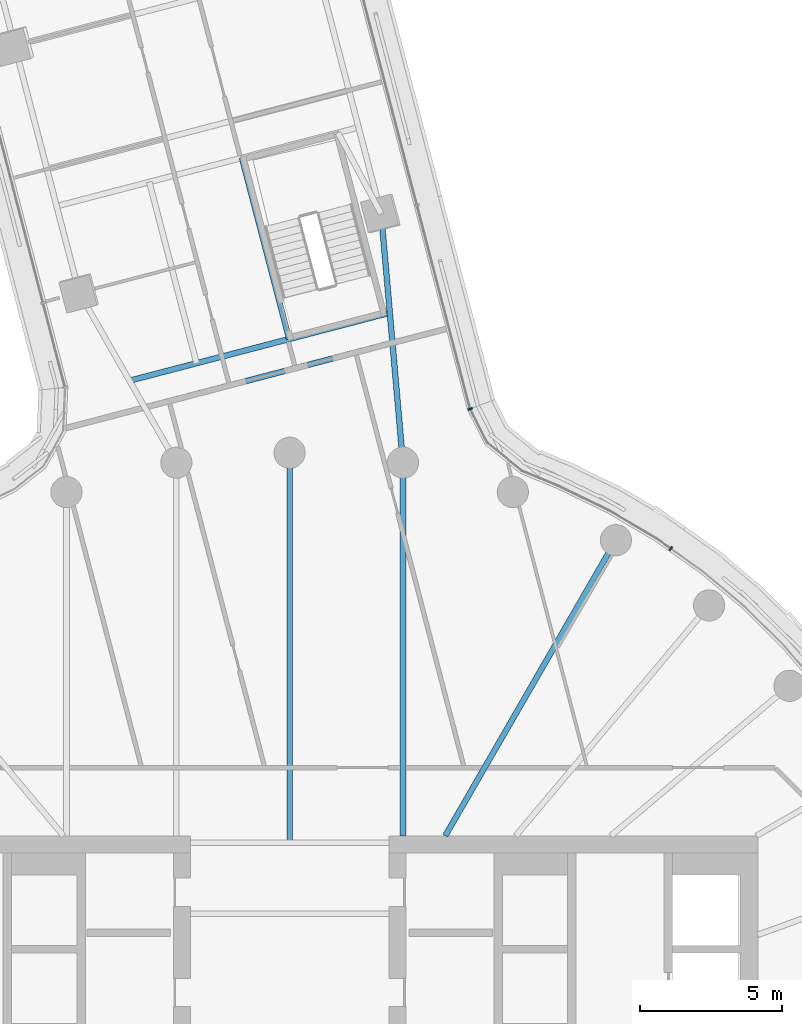
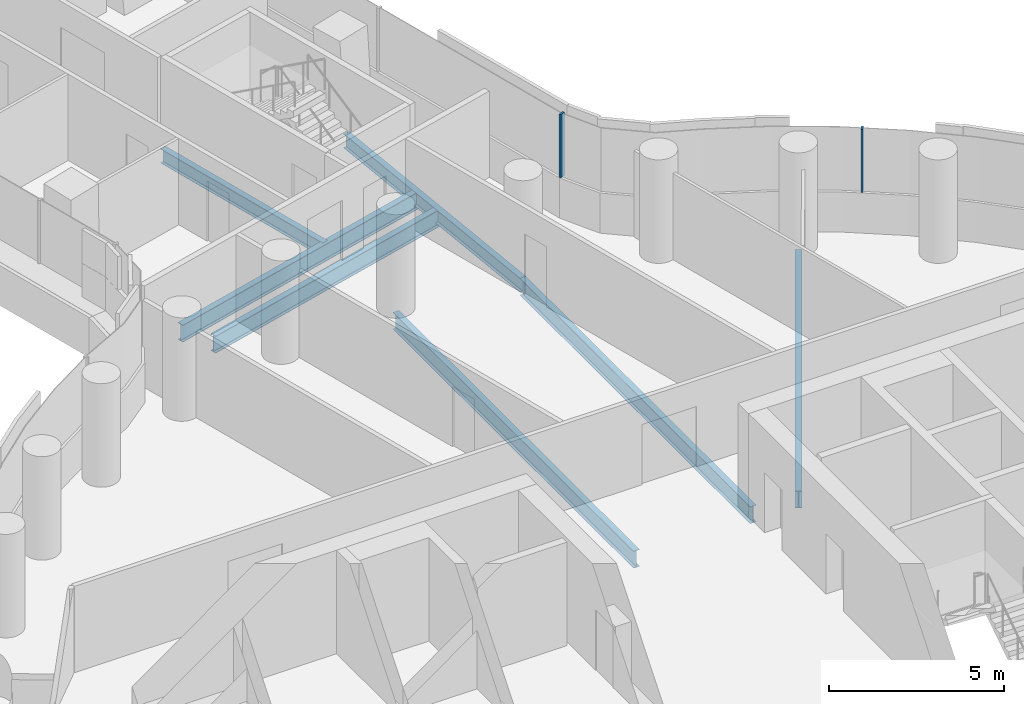
# One storey, part 14 of 30: 7 beams, 2 members, 2 elements without a shape of their own.
"""IFC4 building model written with IfcOpenShell, lengths in metres."""

from ifc_helpers import new_model, si_unit, direction, frame, origin, origin_2d, place, context, subcontext, project, spatial, rectangle, i_section, extrude, material, layer, layer_set, material_profile, profile_set, type_object, element, aggregate, save


model = new_model("IFC4")

# Units and contexts
model_context = context("Model", 3, precision=1e-05, world=origin(), true_north=direction((0.0, 1.0)))
body_context = subcontext(model_context, "Body", "Model", "MODEL_VIEW")
ifc_project = project(units=[si_unit("LENGTHUNIT", "METRE"), si_unit("AREAUNIT", "SQUARE_METRE"), si_unit("VOLUMEUNIT", "CUBIC_METRE"), si_unit("PLANEANGLEUNIT", "RADIAN"), si_unit("MASSUNIT", "GRAM", prefix="KILO")], contexts=[model_context])

# Site, building, storey
site_placement = place(None, origin())
site = spatial("IfcSite", under=ifc_project, at=site_placement, CompositionType="ELEMENT")
building_placement = place(site_placement, origin())
building = spatial("IfcBuilding", under=site, at=building_placement, Name="Tamarind Cross Interchange Tower", CompositionType="ELEMENT")
storey_placement = place(building_placement, frame((0.0, 0.0, 87.25)))
storey = spatial("IfcBuildingStorey", under=building, at=storey_placement, Name="L20", CompositionType="ELEMENT", Elevation=87.25)

# Beams
ifc_material_1 = material(Name="Steel Q355B", Category="steel")
ifc_material_profile_1 = material_profile(ifc_material_1, i_section(OverallWidth=0.198974609375, OverallDepth=0.49609375, WebThickness=0.009033203125, FlangeThickness=0.013916015625, FilletRadius=0.012939453125, at=origin_2d()), Name="HN 496x199x9x14")
ifc_profile_set_1 = profile_set([ifc_material_profile_1], Name="Steel Q355B")
beam_type_1 = type_object("IfcBeamType", Name="Composite beam HN 496x199x9x14 Q355B", PredefinedType="BEAM", material=ifc_profile_set_1)
beam_1_placement = place(storey_placement, frame((3.225830078125, 31.419921875, -0.387939453125), z_axis=(0.08725192882, -0.996186278222, 0.0), x_axis=(0.996186278222, 0.08725192882, 0.0)))
element("IfcBeam", 1, at=beam_1_placement, inside=storey, type_object=beam_type_1, Name="Beam N-linkem", PredefinedType="BEAM", context=body_context, shape_type="SweptSolid", body=[
    extrude(i_section(OverallWidth=0.198974609375, OverallDepth=0.49609375, WebThickness=0.009033203125, FlangeThickness=0.013916015625, FilletRadius=0.012939453125, at=origin_2d()), origin(), (0.0, 0.0, 1.0), 8.802978515625),
])
beam_2_placement = place(storey_placement, frame((-0.015380859375, 27.008544921875, -0.387939453125), z_axis=(-0.252506224464, 0.967595270042, 0.0), x_axis=(-0.967595270042, -0.252506224464, 0.0)))
element("IfcBeam", 2, at=beam_2_placement, inside=storey, type_object=beam_type_1, Name="Beam N-tr1", PredefinedType="BEAM", context=body_context, shape_type="SweptSolid", body=[
    extrude(i_section(OverallWidth=0.198974609375, OverallDepth=0.49609375, WebThickness=0.009033203125, FlangeThickness=0.013916015625, FilletRadius=0.012939453125, at=origin_2d()), origin(), (0.0, 0.0, 1.0), 6.599853515625),
])
ifc_material_profile_2 = material_profile(ifc_material_1, i_section(OverallWidth=0.198974609375, OverallDepth=0.595947265625, WebThickness=0.010009765625, FlangeThickness=0.014892578125, FilletRadius=0.012939453125, at=origin_2d()), Name="HN 596x199x10x15")
ifc_profile_set_2 = profile_set([ifc_material_profile_2], Name="Steel Q355B")
beam_type_2 = type_object("IfcBeamType", Name="Composite beam HN 596x199x10x15 Q355B", PredefinedType="BEAM", material=ifc_profile_set_2)
beam_3_placement = place(storey_placement, frame((11.5, 19.918701171875, -0.43798828125), z_axis=(-0.499993565836, -0.866029118519, 0.0), x_axis=(0.866029118519, -0.499993565836, 0.0)))
element("IfcBeam", 3, at=beam_3_placement, inside=storey, type_object=beam_type_2, Name="Beam HH06", PredefinedType="BEAM", context=body_context, shape_type="SweptSolid", body=[
    extrude(i_section(OverallWidth=0.198974609375, OverallDepth=0.595947265625, WebThickness=0.010009765625, FlangeThickness=0.014892578125, FilletRadius=0.012939453125, at=origin_2d()), origin(), (0.0, 0.0, 1.0), 12.030517578125),
])
beam_4_placement = place(storey_placement, frame((3.993896484375, 22.650634765625, -0.43798828125), z_axis=(0.0, -1.0, 0.0), x_axis=(1.0, 0.0, 0.0)))
element("IfcBeam", 4, at=beam_4_placement, inside=storey, type_object=beam_type_2, Name="Beam HH08", PredefinedType="BEAM", context=body_context, shape_type="SweptSolid", body=[
    extrude(i_section(OverallWidth=0.198974609375, OverallDepth=0.595947265625, WebThickness=0.010009765625, FlangeThickness=0.014892578125, FilletRadius=0.012939453125, at=origin_2d()), origin(), (0.0, 0.0, 1.0), 13.150634765625),
])
beam_5_placement = place(storey_placement, frame((0.0, 23.0, -0.43798828125), z_axis=(0.0, -1.0, 0.0), x_axis=(1.0, 0.0, 0.0)))
element("IfcBeam", 5, at=beam_5_placement, inside=storey, type_object=beam_type_2, Name="Beam HH09", PredefinedType="BEAM", context=body_context, shape_type="SweptSolid", body=[
    extrude(i_section(OverallWidth=0.198974609375, OverallDepth=0.595947265625, WebThickness=0.010009765625, FlangeThickness=0.014892578125, FilletRadius=0.012939453125, at=origin_2d()), origin(), (0.0, 0.0, 1.0), 13.75),
])
ifc_material_profile_3 = material_profile(ifc_material_1, i_section(OverallWidth=0.199951171875, OverallDepth=0.60009765625, WebThickness=0.010986328125, FlangeThickness=0.01708984375, FilletRadius=0.012939453125, at=origin_2d()), Name="HN 600x200x11x17")
ifc_profile_set_3 = profile_set([ifc_material_profile_3], Name="Steel Q355B")
beam_type_3 = type_object("IfcBeamType", Name="Composite beam HN 600x200x11x17 Q355B", PredefinedType="BEAM", material=ifc_profile_set_3)
beam_6_placement = place(storey_placement, frame((3.531005859375, 27.93408203125, -0.43994140625), z_axis=(-0.967587464842, -0.252536131832, 0.0), x_axis=(0.252536131832, -0.967587464842, 0.0)))
element("IfcBeam", 6, at=beam_6_placement, inside=storey, type_object=beam_type_3, Name="Beam N-x268", PredefinedType="BEAM", context=body_context, shape_type="SweptSolid", body=[
    extrude(i_section(OverallWidth=0.199951171875, OverallDepth=0.60009765625, WebThickness=0.010986328125, FlangeThickness=0.01708984375, FilletRadius=0.012939453125, at=origin_2d()), origin(), (0.0, 0.0, 1.0), 9.48291015625),
])
beam_7_placement = place(storey_placement, frame((3.6240234375, 26.873046875, -0.43994140625), z_axis=(-0.967591689799, -0.252519943433, 0.0), x_axis=(0.252519943433, -0.967591689799, 0.0)))
element("IfcBeam", 7, at=beam_7_placement, inside=storey, type_object=beam_type_3, Name="Beam N-x258", PredefinedType="BEAM", context=body_context, shape_type="SweptSolid", body=[
    extrude(i_section(OverallWidth=0.199951171875, OverallDepth=0.60009765625, WebThickness=0.010986328125, FlangeThickness=0.01708984375, FilletRadius=0.012939453125, at=origin_2d()), origin(), (0.0, 0.0, 1.0), 9.021484375),
])

# Curtain wall, member
ifc_material_2 = material(Name="Aluminium 6063-T6", Category="aluminium")
ifc_layer = layer(ifc_material_2, 0.159912109375)
ifc_layer_set = layer_set([ifc_layer], Name="Aluminium 6063-T6")
curtain_wall_type = type_object("IfcCurtainWallType", Name="Office curtain wall, 9.0 m bays", PredefinedType="NOTDEFINED", material=ifc_layer_set)
curtain_wall_1_placement = place(storey_placement, origin())
curtain_wall_1 = element("IfcCurtainWall", 8, at=curtain_wall_1_placement, inside=storey, type_object=curtain_wall_type, Name="CWS-L20-14", PredefinedType="NOTDEFINED")
ifc_material_profile_4 = material_profile(ifc_material_2, rectangle(XDim=0.06005859375, YDim=0.159912109375, at=origin_2d()), Name="Mullion CW1")
ifc_profile_set_4 = profile_set([ifc_material_profile_4], Name="Aluminium 6063-T6")
member_type = type_object("IfcMemberType", Name="Mullion CW1", PredefinedType="MULLION", material=ifc_profile_set_4)
member_1_placement = place(storey_placement, frame((13.4326171875, 19.62060546875, 1.39990234375), z_axis=(0.0, 0.0, 1.0), x_axis=(-0.816341886298, 0.577568978284, 0.0)))
member_1 = element("IfcMember", 9, at=member_1_placement, type_object=member_type, Name="CWM-L20-14-02", PredefinedType="MULLION", context=body_context, shape_type="SweptSolid", body=[
    extrude(rectangle(XDim=0.06005859375, YDim=0.159912109375, at=origin_2d()), origin(), (0.0, 0.0, 1.0), 2.210205078125),
])
aggregate(curtain_wall_1, [member_1])

curtain_wall_2_placement = place(storey_placement, origin())
curtain_wall_2 = element("IfcCurtainWall", 10, at=curtain_wall_2_placement, inside=storey, type_object=curtain_wall_type, Name="CWS-L20-15", PredefinedType="NOTDEFINED")
member_2_placement = place(storey_placement, frame((6.363525390625, 24.545166015625, 1.39990234375), z_axis=(0.0, 0.0, 1.0), x_axis=(-0.354566319306, 0.935030868589, 0.0)))
member_2 = element("IfcMember", 11, at=member_2_placement, type_object=member_type, Name="CWM-L20-15-00", PredefinedType="MULLION", context=body_context, shape_type="SweptSolid", body=[
    extrude(rectangle(XDim=0.06005859375, YDim=0.159912109375, at=origin_2d()), origin(), (0.0, 0.0, 1.0), 2.210205078125),
])
aggregate(curtain_wall_2, [member_2])

save(model, "model.ifc")
